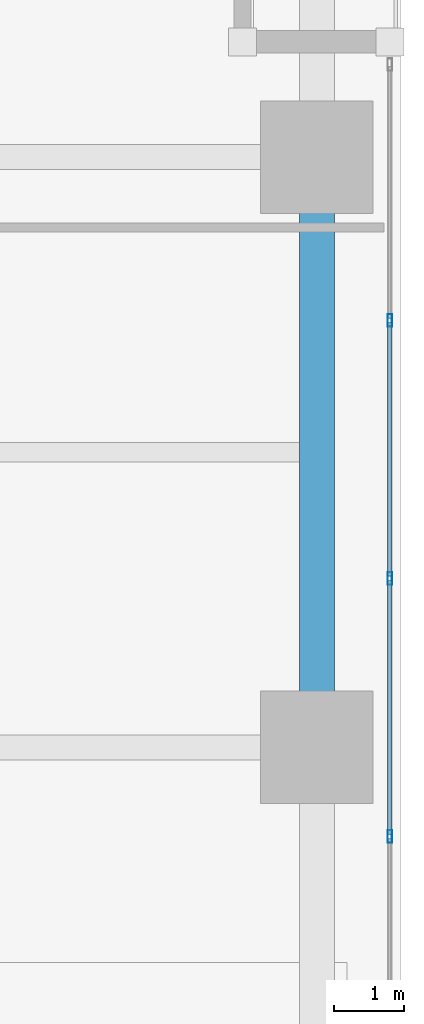
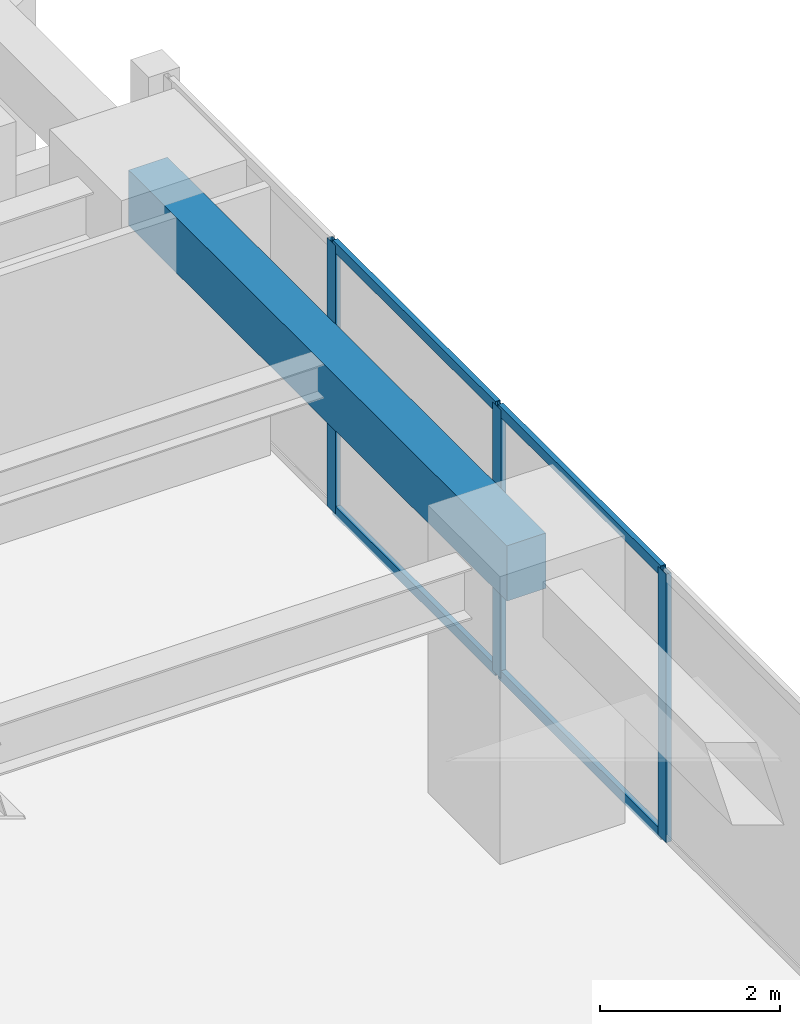
# One storey, part 8 of 29: 7 members, 1 beam, 1 element without a shape of its own.
"""IFC4 building model written with IfcOpenShell, lengths in metres."""

from ifc_helpers import new_model, si_unit, direction, frame, origin, origin_2d, place, context, subcontext, project, spatial, rectangle, hollow_rectangle, extrude, material, layer, layer_set, material_profile, profile_set, type_object, element, aggregate, save


model = new_model("IFC4")

# Units and contexts
model_context = context("Model", 3, precision=1e-05, world=origin(), true_north=direction((0.0, 1.0)))
body_context = subcontext(model_context, "Body", "Model", "MODEL_VIEW")
ifc_project = project(units=[si_unit("LENGTHUNIT", "METRE"), si_unit("AREAUNIT", "SQUARE_METRE"), si_unit("VOLUMEUNIT", "CUBIC_METRE"), si_unit("PLANEANGLEUNIT", "RADIAN"), si_unit("MASSUNIT", "GRAM", prefix="KILO")], contexts=[model_context])

# Site, building, storey
site_placement = place(None, origin())
site = spatial("IfcSite", under=ifc_project, at=site_placement, CompositionType="ELEMENT")
building_placement = place(site_placement, origin())
building = spatial("IfcBuilding", under=site, at=building_placement, Name="Kiyonajd Concourse Tower", CompositionType="ELEMENT")
storey_placement = place(building_placement, frame((0.0, 0.0, 48.89990234375)))
storey = spatial("IfcBuildingStorey", under=building, at=storey_placement, Name="L13", CompositionType="ELEMENT", Elevation=48.89990234375)

# Beam
ifc_material_1 = material(Name="Precast concrete C50/60", Category="concrete")
ifc_material_profile_1 = material_profile(ifc_material_1, rectangle(XDim=0.5, YDim=0.75, at=origin_2d()), Name="RCBM-500x750")
ifc_profile_set_1 = profile_set([ifc_material_profile_1], Name="Precast concrete C50/60")
beam_type = type_object("IfcBeamType", Name="BM-SPAN-RC", PredefinedType="SPANDREL", material=ifc_profile_set_1)
beam_placement = place(storey_placement, frame((78.0, 27.60009765625, 3.26513671875), z_axis=(0.0, 1.0, 0.0), x_axis=(-1.0, 0.0, 0.0)))
element("IfcBeam", 1, at=beam_placement, inside=storey, type_object=beam_type, Name="L13 Perimeter Bundled Tube Spandrel", PredefinedType="SPANDREL", context=body_context, shape_type="SweptSolid", body=[
    extrude(rectangle(XDim=0.5, YDim=0.75, at=origin_2d()), origin(), (0.0, 0.0, 1.0), 8.39990234375),
])

# Curtain wall, members
ifc_material_2 = material(Name="Thermally Broken Anodised Aluminium", Category="aluminium")
ifc_layer = layer(ifc_material_2, 0.179931640625)
ifc_layer_set = layer_set([ifc_layer], Name="Thermally Broken Anodised Aluminium")
curtain_wall_type = type_object("IfcCurtainWallType", Name="CW-SYS-02", PredefinedType="NOTDEFINED", material=ifc_layer_set)
curtain_wall_placement = place(storey_placement, origin())
curtain_wall = element("IfcCurtainWall", 2, at=curtain_wall_placement, inside=storey, type_object=curtain_wall_type, Name="L13 Unitised Curtain Wall CW2", PredefinedType="NOTDEFINED")
ifc_material_profile_2 = material_profile(ifc_material_2, hollow_rectangle(XDim=0.06494140625, YDim=0.179931640625, WallThickness=0.00390625, at=origin_2d()), Name="MULL-65x180")
ifc_profile_set_2 = profile_set([ifc_material_profile_2], Name="Thermally Broken Anodised Aluminium")
member_type_1 = type_object("IfcMemberType", Name="MB-CW-MULL1", PredefinedType="MULLION", material=ifc_profile_set_2)
member_1_placement = place(storey_placement, frame((79.0400390625, 33.6767578125, 0.0), z_axis=(0.0, 0.0, 1.0), x_axis=(1.0, 0.0, 0.0)))
member_1 = element("IfcMember", 3, at=member_1_placement, type_object=member_type_1, Name="CW2 mullion 2", PredefinedType="MULLION", context=body_context, shape_type="SweptSolid", body=[
    extrude(hollow_rectangle(XDim=0.06494140625, YDim=0.179931640625, WallThickness=0.00390625, at=origin_2d()), origin(), (0.0, 0.0, 1.0), 3.64013671875),
])
member_2_placement = place(storey_placement, frame((79.0400390625, 30.003662109375, 0.0), z_axis=(0.0, 0.0, 1.0), x_axis=(1.0, 0.0, 0.0)))
member_2 = element("IfcMember", 4, at=member_2_placement, type_object=member_type_1, Name="CW2 mullion 3", PredefinedType="MULLION", context=body_context, shape_type="SweptSolid", body=[
    extrude(hollow_rectangle(XDim=0.06494140625, YDim=0.179931640625, WallThickness=0.00390625, at=origin_2d()), origin(), (0.0, 0.0, 1.0), 3.64013671875),
])
member_3_placement = place(storey_placement, frame((79.0400390625, 26.33056640625, 0.0), z_axis=(0.0, 0.0, 1.0), x_axis=(1.0, 0.0, 0.0)))
member_3 = element("IfcMember", 5, at=member_3_placement, type_object=member_type_1, Name="CW2 mullion 4", PredefinedType="MULLION", context=body_context, shape_type="SweptSolid", body=[
    extrude(hollow_rectangle(XDim=0.06494140625, YDim=0.179931640625, WallThickness=0.00390625, at=origin_2d()), origin(), (0.0, 0.0, 1.0), 3.64013671875),
])
ifc_material_profile_3 = material_profile(ifc_material_2, hollow_rectangle(XDim=0.06494140625, YDim=0.139892578125, WallThickness=0.00390625, at=origin_2d()), Name="TRAN-65x140")
ifc_profile_set_3 = profile_set([ifc_material_profile_3], Name="Thermally Broken Anodised Aluminium")
member_type_2 = type_object("IfcMemberType", Name="MB-CW-TRAN1", PredefinedType="USERDEFINED", material=ifc_profile_set_3)
member_4_placement = place(storey_placement, frame((79.0400390625, 33.644287109375, 0.03271484375), z_axis=(0.0, -1.0, 0.0), x_axis=(1.0, 0.0, 0.0)))
member_4 = element("IfcMember", 6, at=member_4_placement, type_object=member_type_2, Name="CW2 transom 2.1", ObjectType="TRANSOM", PredefinedType="USERDEFINED", context=body_context, shape_type="SweptSolid", body=[
    extrude(hollow_rectangle(XDim=0.06494140625, YDim=0.139892578125, WallThickness=0.00390625, at=origin_2d()), origin(), (0.0, 0.0, 1.0), 3.608154296875),
])
member_5_placement = place(storey_placement, frame((79.0400390625, 33.644287109375, 3.607666015625), z_axis=(0.0, -1.0, 0.0), x_axis=(1.0, 0.0, 0.0)))
member_5 = element("IfcMember", 7, at=member_5_placement, type_object=member_type_2, Name="CW2 transom 2.2", ObjectType="TRANSOM", PredefinedType="USERDEFINED", context=body_context, shape_type="SweptSolid", body=[
    extrude(hollow_rectangle(XDim=0.06494140625, YDim=0.139892578125, WallThickness=0.00390625, at=origin_2d()), origin(), (0.0, 0.0, 1.0), 3.608154296875),
])
member_6_placement = place(storey_placement, frame((79.0400390625, 29.97119140625, 0.03271484375), z_axis=(0.0, -1.0, 0.0), x_axis=(1.0, 0.0, 0.0)))
member_6 = element("IfcMember", 8, at=member_6_placement, type_object=member_type_2, Name="CW2 transom 3.1", ObjectType="TRANSOM", PredefinedType="USERDEFINED", context=body_context, shape_type="SweptSolid", body=[
    extrude(hollow_rectangle(XDim=0.06494140625, YDim=0.139892578125, WallThickness=0.00390625, at=origin_2d()), origin(), (0.0, 0.0, 1.0), 3.608154296875),
])
member_7_placement = place(storey_placement, frame((79.0400390625, 29.97119140625, 3.607666015625), z_axis=(0.0, -1.0, 0.0), x_axis=(1.0, 0.0, 0.0)))
member_7 = element("IfcMember", 9, at=member_7_placement, type_object=member_type_2, Name="CW2 transom 3.2", ObjectType="TRANSOM", PredefinedType="USERDEFINED", context=body_context, shape_type="SweptSolid", body=[
    extrude(hollow_rectangle(XDim=0.06494140625, YDim=0.139892578125, WallThickness=0.00390625, at=origin_2d()), origin(), (0.0, 0.0, 1.0), 3.608154296875),
])
aggregate(curtain_wall, [member_1, member_2, member_3, member_4, member_5, member_6, member_7])

save(model, "model.ifc")
